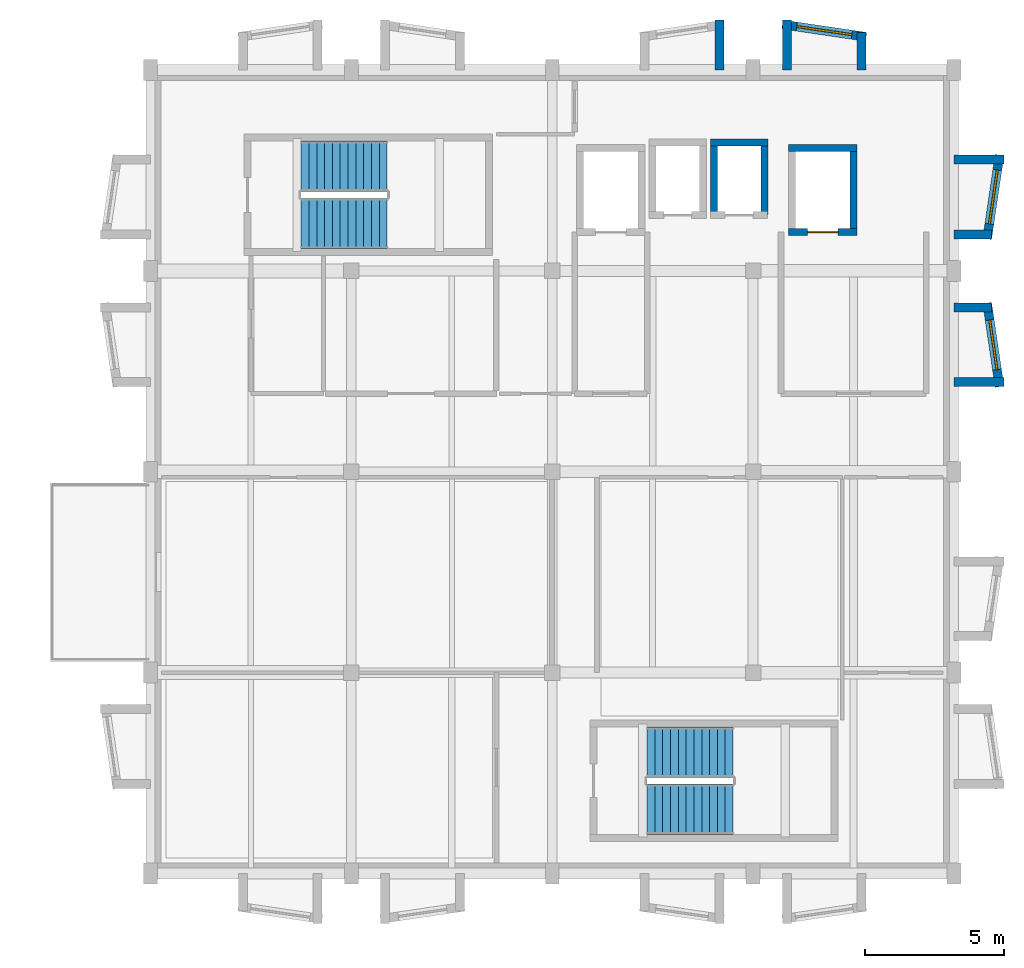
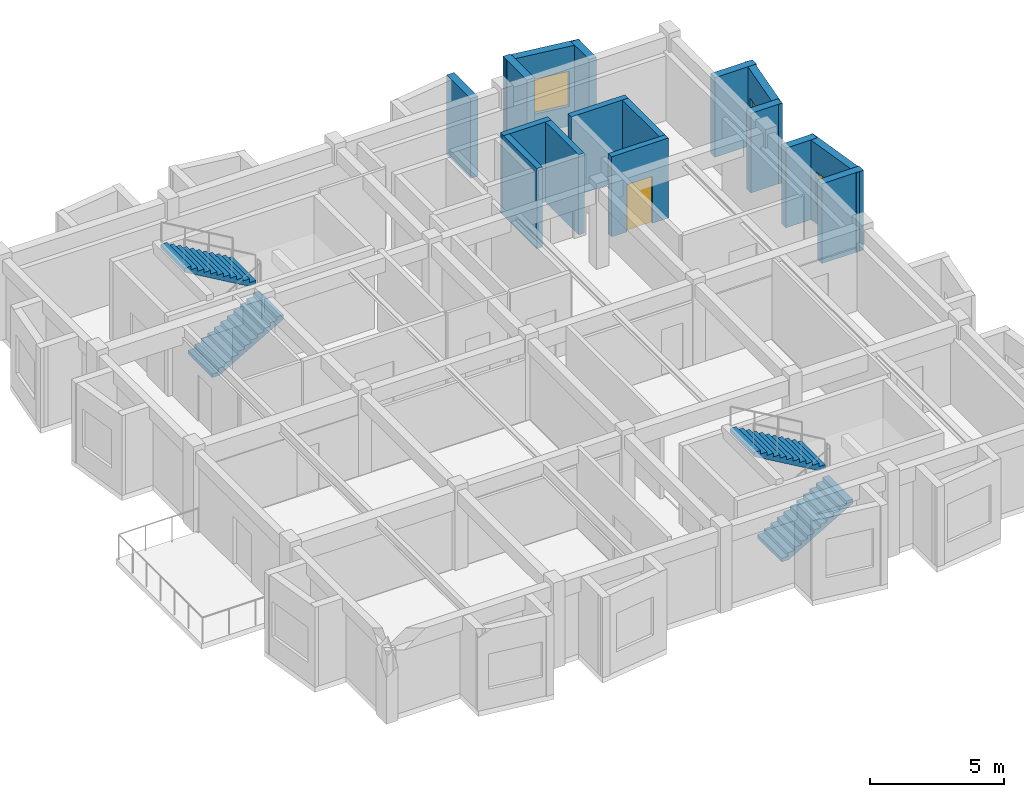
# One storey, part 5 of 7: 16 walls, 4 stair flights, 3 windows, 1 door, 4 openings, 2 elements without a shape of their own.
"""IFC4 building model written with IfcOpenShell, lengths in metres."""

from ifc_helpers import new_model, si_unit, direction, frame, frame_2d, origin, place, context, subcontext, project, spatial, polyline, rectangle, outline, extrude, material, layer, layer_set, type_object, element, fill, aggregate, save


model = new_model("IFC4")

# Units and contexts
model_context = context("Model", 3, precision=1e-05, world=origin(), true_north=direction((0.0, 1.0)))
body_context = subcontext(model_context, "Body", "Model", "MODEL_VIEW")
ifc_project = project(units=[si_unit("LENGTHUNIT", "METRE"), si_unit("AREAUNIT", "SQUARE_METRE"), si_unit("VOLUMEUNIT", "CUBIC_METRE"), si_unit("PLANEANGLEUNIT", "RADIAN"), si_unit("MASSUNIT", "GRAM", prefix="KILO")], contexts=[model_context])

# Site, building, storey
site_placement = place(None, origin())
site = spatial("IfcSite", under=ifc_project, at=site_placement, CompositionType="ELEMENT")
building_placement = place(site_placement, origin())
building = spatial("IfcBuilding", under=site, at=building_placement, Name="Bramveld Media Centre", CompositionType="ELEMENT")
storey_placement = place(building_placement, frame((0.0, 0.0, 25.800048828125)))
storey = spatial("IfcBuildingStorey", under=building, at=storey_placement, Name="L06", CompositionType="ELEMENT", Elevation=25.800048828125)

# Wall, opening, door
ifc_material_1 = material(Name="Concrete C40/50 stair & lift core wall", Category="concrete")
ifc_layer_1 = layer(ifc_material_1, 0.25)
ifc_layer_set_1 = layer_set([ifc_layer_1], Name="Concrete C40/50 stair & lift core wall")
wall_type_1 = type_object("IfcWallType", Name="CWALL-SHEAR-250", PredefinedType="SHEAR", material=ifc_layer_set_1)
wall_1_placement = place(storey_placement, frame((154.074951171875, 106.199951171875, 0.0), z_axis=(0.0, 0.0, 1.0), x_axis=(1.0, 0.0, 0.0)))
wall_1 = element("IfcWall", 1, at=wall_1_placement, inside=storey, type_object=wall_type_1, Name="FL-02 L06 lift shaft wall S", PredefinedType="SHEAR", context=body_context, shape_type="SweptSolid", body=[
    extrude(rectangle(XDim=2.449951171875, YDim=0.25, at=frame_2d((1.22509765625, 0.0))), origin(), (0.0, 0.0, 1.0), 3.64990234375),
])
opening_1_placement = place(wall_1_placement, frame((0.675048828125, 0.0, 0.0)))
opening_1 = element("IfcOpeningElement", 2, at=opening_1_placement, cuts=wall_1, Name="Opening LD-01-02-L06", PredefinedType="OPENING", context=body_context, shape_type="SweptSolid", body=[
    extrude(rectangle(XDim=1.10009765625, YDim=2.14990234375, at=frame_2d((0.550048828125, 1.074951171875))), frame((0.0, 0.136962890625, 0.0), z_axis=(0.0, -1.0, 0.0), x_axis=(1.0, 0.0, 0.0)), (0.0, 0.0, 1.0), 0.27392578125),
])
ifc_material_2 = material(Name="Brushed stainless steel automatic fire-rated sliding lift landing door", Category="steel")
door_type = type_object("IfcDoorType", Name="LD-TYPE-01", OperationType="SLIDING_TO_LEFT", PredefinedType="DOOR", material=ifc_material_2)
door_placement = place(opening_1_placement, origin())
door = element("IfcDoor", 3, at=door_placement, inside=storey, type_object=door_type, Name="FL-02 L06 sliding lift landing door", OperationType="SLIDING_TO_LEFT", OverallHeight=2.14990234375, OverallWidth=1.10009765625, PredefinedType="DOOR", context=body_context, shape_type="SweptSolid", body=[
    extrude(rectangle(XDim=1.10009765625, YDim=2.14990234375, at=frame_2d((0.550048828125, 1.074951171875))), frame((0.0, 0.02490234375, 0.0), z_axis=(0.0, -1.0, 0.0), x_axis=(1.0, 0.0, 0.0)), (0.0, 0.0, 1.0), 0.050048828125),
])
fill(opening_1, door)

# Walls
wall_2_placement = place(storey_placement, frame((156.52490234375, 109.199951171875, 0.0), z_axis=(0.0, 0.0, 1.0), x_axis=(-1.0, 0.0, 0.0)))
element("IfcWall", 4, at=wall_2_placement, inside=storey, type_object=wall_type_1, Name="FL-02 L06 lift shaft wall N", PredefinedType="SHEAR", context=body_context, shape_type="SweptSolid", body=[
    extrude(rectangle(XDim=2.449951171875, YDim=0.25, at=frame_2d((1.22509765625, 0.0))), origin(), (0.0, 0.0, 1.0), 3.64990234375),
])
wall_3_placement = place(storey_placement, frame((156.39990234375, 106.199951171875, 0.0), z_axis=(0.0, 0.0, 1.0), x_axis=(0.0, 1.0, 0.0)))
element("IfcWall", 5, at=wall_3_placement, inside=storey, type_object=wall_type_1, Name="FL-02 L06 lift shaft wall E", PredefinedType="SHEAR", context=body_context, shape_type="SweptSolid", body=[
    extrude(rectangle(XDim=3.0, YDim=0.25, at=frame_2d((1.5, 0.0))), origin(), (0.0, 0.0, 1.0), 3.64990234375),
])
wall_4_placement = place(storey_placement, frame((153.324951171875, 109.39990234375, 0.0), z_axis=(0.0, 0.0, 1.0), x_axis=(-1.0, 0.0, 0.0)))
element("IfcWall", 6, at=wall_4_placement, inside=storey, type_object=wall_type_1, Name="PL-02 L06 lift shaft wall N", PredefinedType="SHEAR", context=body_context, shape_type="SweptSolid", body=[
    extrude(rectangle(XDim=2.050048828125, YDim=0.25, at=frame_2d((1.02490234375, 0.0))), origin(), (0.0, 0.0, 1.0), 3.64990234375),
])
for number, where, z_axis, x_axis, name in (
    (7, (151.39990234375, 109.39990234375, 0.0), (0.0, 0.0, 1.0), (0.0, -1.0, 0.0), "PL-02 L06 lift shaft wall W"),
    (8, (153.199951171875, 106.800048828125, 0.0), (0.0, 0.0, 1.0), (0.0, 1.0, 0.0), "PL-02 L06 lift shaft wall E"),
):
    element("IfcWall", number, at=place(storey_placement, frame(where, z_axis=z_axis, x_axis=x_axis)), inside=storey, type_object=wall_type_1, Name=name, PredefinedType="SHEAR", context=body_context, shape_type="SweptSolid", body=[
        extrude(rectangle(XDim=2.599853515625, YDim=0.25, at=frame_2d((1.2998046875, 0.0))), origin(), (0.0, 0.0, 1.0), 3.64990234375),
    ])

# Wall, opening, window
ifc_material_3 = material(Name="Precast concrete C40/50 & brick-slip faceted bay cheek wall", Category="masonry")
ifc_layer_2 = layer(ifc_material_3, 0.320068359375)
ifc_layer_set_2 = layer_set([ifc_layer_2], Name="Precast concrete C40/50 & brick-slip faceted bay cheek wall")
wall_type_2 = type_object("IfcWallType", Name="EW-FACET-320", PredefinedType="SOLIDWALL", material=ifc_layer_set_2)
wall_5_placement = place(storey_placement, frame((161.633056640625, 100.64990234375, 0.0), z_axis=(0.0, 0.0, 1.0), x_axis=(-0.146119746268, 0.989266910268, 0.0)))
wall_5 = element("IfcWall", 9, at=wall_5_placement, inside=storey, type_object=wall_type_2, Name="V7 L06 E angled faceted bay front wall 3", PredefinedType="SOLIDWALL", context=body_context, shape_type="SweptSolid", body=[
    extrude(rectangle(XDim=3.032470703125, YDim=0.320068359375, at=frame_2d((1.51611328125, 0.0))), origin(), (0.0, 0.0, 1.0), 3.6298828125),
])
opening_2_placement = place(wall_5_placement, frame((0.6162109375, 0.0, 0.89990234375)))
opening_2 = element("IfcOpeningElement", 10, at=opening_2_placement, cuts=wall_5, Name="Opening W-26", PredefinedType="OPENING", context=body_context, shape_type="SweptSolid", body=[
    extrude(rectangle(XDim=1.800048828125, YDim=1.449951171875, at=frame_2d((0.89990234375, 0.72509765625))), frame((0.0, 0.171875, 0.0), z_axis=(0.0, -1.0, 0.0), x_axis=(1.0, 0.0, 0.0)), (0.0, 0.0, 1.0), 0.343994140625),
])
ifc_material_4 = material(Name="Thermally broken anodized bronze aluminium frame with triple acoustic glazing", Category="aluminium")
window_type_1 = type_object("IfcWindowType", Name="WIN-FAC-26", PartitioningType="SINGLE_PANEL", PredefinedType="WINDOW", material=ifc_material_4)
window_1_placement = place(opening_2_placement, origin())
window_1 = element("IfcWindow", 11, at=window_1_placement, inside=storey, type_object=window_type_1, Name="V7 L06 E faceted bay window 3", OverallHeight=1.449951171875, OverallWidth=1.800048828125, PartitioningType="SINGLE_PANEL", PredefinedType="WINDOW", context=body_context, shape_type="SweptSolid", body=[
    extrude(rectangle(XDim=1.800048828125, YDim=1.449951171875, at=frame_2d((0.89990234375, 0.72509765625))), frame((0.0, 0.030029296875, 0.0), z_axis=(0.0, -1.0, 0.0), x_axis=(1.0, 0.0, 0.0)), (0.0, 0.0, 1.0), 0.06005859375),
])
fill(opening_2, window_1)

# Walls
wall_6_placement = place(storey_placement, frame((160.0, 100.81005859375, 0.0), z_axis=(0.0, 0.0, 1.0), x_axis=(1.0, 0.0, 0.0)))
element("IfcWall", 12, at=wall_6_placement, inside=storey, type_object=wall_type_2, Name="V7 L06 E faceted bay cheek wall", PredefinedType="SOLIDWALL", context=body_context, shape_type="SweptSolid", body=[
    extrude(rectangle(XDim=1.79296875, YDim=0.320068359375, at=frame_2d((0.896484375, 0.0))), origin(), (0.0, 0.0, 1.0), 3.6298828125),
])
wall_7_placement = place(storey_placement, frame((160.0, 103.489990234375, 0.0), z_axis=(0.0, 0.0, 1.0), x_axis=(1.0, 0.0, 0.0)))
element("IfcWall", 13, at=wall_7_placement, inside=storey, type_object=wall_type_2, Name="V7 L06 E faceted bay cheek wall", PredefinedType="SOLIDWALL", context=body_context, shape_type="SweptSolid", body=[
    extrude(rectangle(XDim=1.35009765625, YDim=0.320068359375, at=frame_2d((0.675048828125, 0.0))), origin(), (0.0, 0.0, 1.0), 3.6298828125),
])

# Wall, opening, window
wall_8_placement = place(storey_placement, frame((161.18994140625, 105.949951171875, 0.0), z_axis=(0.0, 0.0, 1.0), x_axis=(0.146119746268, 0.989266910268, 0.0)))
wall_8 = element("IfcWall", 14, at=wall_8_placement, inside=storey, type_object=wall_type_2, Name="V7 L06 E angled faceted bay front wall 4", PredefinedType="SOLIDWALL", context=body_context, shape_type="SweptSolid", body=[
    extrude(rectangle(XDim=3.032470703125, YDim=0.320068359375, at=frame_2d((1.51611328125, 0.0))), origin(), (0.0, 0.0, 1.0), 3.6298828125),
])
opening_3_placement = place(wall_8_placement, frame((0.541259765625, 0.0, 0.89990234375)))
opening_3 = element("IfcOpeningElement", 15, at=opening_3_placement, cuts=wall_8, Name="Opening W-27", PredefinedType="OPENING", context=body_context, shape_type="SweptSolid", body=[
    extrude(rectangle(XDim=1.949951171875, YDim=1.449951171875, at=frame_2d((0.97509765625, 0.72509765625))), frame((0.0, 0.171875, 0.0), z_axis=(0.0, -1.0, 0.0), x_axis=(1.0, 0.0, 0.0)), (0.0, 0.0, 1.0), 0.343994140625),
])
ifc_material_5 = material(Name="Thermally broken anodized bronze aluminium frame with triple acoustic glazing", Category="aluminium")
window_type_2 = type_object("IfcWindowType", Name="WIN-FAC-27", PartitioningType="SINGLE_PANEL", PredefinedType="WINDOW", material=ifc_material_5)
window_2_placement = place(opening_3_placement, origin())
window_2 = element("IfcWindow", 16, at=window_2_placement, inside=storey, type_object=window_type_2, Name="V7 L06 E faceted bay window 4", OverallHeight=1.449951171875, OverallWidth=1.949951171875, PartitioningType="SINGLE_PANEL", PredefinedType="WINDOW", context=body_context, shape_type="SweptSolid", body=[
    extrude(rectangle(XDim=1.949951171875, YDim=1.449951171875, at=frame_2d((0.97509765625, 0.72509765625))), frame((0.0, 0.030029296875, 0.0), z_axis=(0.0, -1.0, 0.0), x_axis=(1.0, 0.0, 0.0)), (0.0, 0.0, 1.0), 0.06005859375),
])
fill(opening_3, window_2)

# Walls
wall_9_placement = place(storey_placement, frame((160.0, 106.110107421875, 0.0), z_axis=(0.0, 0.0, 1.0), x_axis=(1.0, 0.0, 0.0)))
element("IfcWall", 17, at=wall_9_placement, inside=storey, type_object=wall_type_2, Name="V7 L06 E faceted bay cheek wall", PredefinedType="SOLIDWALL", context=body_context, shape_type="SweptSolid", body=[
    extrude(rectangle(XDim=1.35009765625, YDim=0.320068359375, at=frame_2d((0.675048828125, 0.0))), origin(), (0.0, 0.0, 1.0), 3.6298828125),
])
for number, where, z_axis, x_axis, name in (
    (18, (160.0, 108.7900390625, 0.0), (0.0, 0.0, 1.0), (1.0, 0.0, 0.0), "V7 L06 E faceted bay cheek wall"),
    (19, (151.590087890625, 112.0, 0.0), (0.0, 0.0, 1.0), (0.0, 1.0, 0.0), "V7 L06 N faceted bay cheek wall"),
):
    element("IfcWall", number, at=place(storey_placement, frame(where, z_axis=z_axis, x_axis=x_axis)), inside=storey, type_object=wall_type_2, Name=name, PredefinedType="SOLIDWALL", context=body_context, shape_type="SweptSolid", body=[
        extrude(rectangle(XDim=1.79296875, YDim=0.320068359375, at=frame_2d((0.896484375, 0.0))), origin(), (0.0, 0.0, 1.0), 3.6298828125),
    ])

# Wall, opening, window
wall_10_placement = place(storey_placement, frame((156.85009765625, 113.18994140625, 0.0), z_axis=(0.0, 0.0, 1.0), x_axis=(-0.989266910268, 0.146119746268, 0.0)))
wall_10 = element("IfcWall", 20, at=wall_10_placement, inside=storey, type_object=wall_type_2, Name="V7 L06 N angled faceted bay front wall 4", PredefinedType="SOLIDWALL", context=body_context, shape_type="SweptSolid", body=[
    extrude(rectangle(XDim=3.032470703125, YDim=0.320068359375, at=frame_2d((1.51611328125, 0.0))), origin(), (0.0, 0.0, 1.0), 3.6298828125),
])
opening_4_placement = place(wall_10_placement, frame((0.516357421875, 0.0, 0.89990234375)))
opening_4 = element("IfcOpeningElement", 21, at=opening_4_placement, cuts=wall_10, Name="Opening W-31", PredefinedType="OPENING", context=body_context, shape_type="SweptSolid", body=[
    extrude(rectangle(XDim=2.0, YDim=1.60009765625, at=frame_2d((1.0, 0.800048828125))), frame((0.0, 0.171875, 0.0), z_axis=(0.0, -1.0, 0.0), x_axis=(1.0, 0.0, 0.0)), (0.0, 0.0, 1.0), 0.343994140625),
])
ifc_material_6 = material(Name="Thermally broken anodized bronze aluminium frame with triple acoustic glazing", Category="aluminium")
window_type_3 = type_object("IfcWindowType", Name="WIN-FAC-31", PartitioningType="SINGLE_PANEL", PredefinedType="WINDOW", material=ifc_material_6)
window_3_placement = place(opening_4_placement, origin())
window_3 = element("IfcWindow", 22, at=window_3_placement, inside=storey, type_object=window_type_3, Name="V7 L06 N faceted bay window 4", OverallHeight=1.60009765625, OverallWidth=2.0, PartitioningType="SINGLE_PANEL", PredefinedType="WINDOW", context=body_context, shape_type="SweptSolid", body=[
    extrude(rectangle(XDim=2.0, YDim=1.60009765625, at=frame_2d((1.0, 0.800048828125))), frame((0.0, 0.030029296875, 0.0), z_axis=(0.0, -1.0, 0.0), x_axis=(1.0, 0.0, 0.0)), (0.0, 0.0, 1.0), 0.06005859375),
])
fill(opening_4, window_3)

# Walls
wall_11_placement = place(storey_placement, frame((154.010009765625, 112.0, 0.0), z_axis=(0.0, 0.0, 1.0), x_axis=(0.0, 1.0, 0.0)))
element("IfcWall", 23, at=wall_11_placement, inside=storey, type_object=wall_type_2, Name="V7 L06 N faceted bay cheek wall", PredefinedType="SOLIDWALL", context=body_context, shape_type="SweptSolid", body=[
    extrude(rectangle(XDim=1.79296875, YDim=0.320068359375, at=frame_2d((0.896484375, 0.0))), origin(), (0.0, 0.0, 1.0), 3.6298828125),
])
wall_12_placement = place(storey_placement, frame((156.68994140625, 112.0, 0.0), z_axis=(0.0, 0.0, 1.0), x_axis=(0.0, 1.0, 0.0)))
element("IfcWall", 24, at=wall_12_placement, inside=storey, type_object=wall_type_2, Name="V7 L06 N faceted bay cheek wall", PredefinedType="SOLIDWALL", context=body_context, shape_type="SweptSolid", body=[
    extrude(rectangle(XDim=1.35009765625, YDim=0.320068359375, at=frame_2d((0.675048828125, 0.0))), origin(), (0.0, 0.0, 1.0), 3.6298828125),
])

# Stair, stair flights
ifc_material_7 = material(Name="Concrete C40/50", Category="concrete")
stair_type_1 = type_object("IfcStairType", Name="STAIR-ST-01-24R-1800", PredefinedType="HALF_TURN_STAIR", material=ifc_material_7)
stair_1_placement = place(storey_placement, origin())
stair_1 = element("IfcStair", 25, at=stair_1_placement, inside=storey, type_object=stair_type_1, Name="L06 Core A1 Pressurized Firefighting Stair", PredefinedType="HALF_TURN_STAIR")
ifc_material_8 = material(Name="Concrete C40/50", Category="concrete")
stair_flight_type_1 = type_object("IfcStairFlightType", Name="FLIGHT-ST-01-12R-1625", PredefinedType="STRAIGHT", material=ifc_material_8)
stair_flight_1_placement = place(storey_placement, frame((136.60009765625, 106.5, 0.0), z_axis=(0.0, 0.0, 1.0), x_axis=(1.0, 0.0, 0.0)))
stair_flight_1 = element("IfcStairFlight", 26, at=stair_flight_1_placement, type_object=stair_flight_type_1, Name="ST-01 flight 1", NumberOfRisers=12, NumberOfTreads=11, PredefinedType="STRAIGHT", RiserHeight=0.1625, TreadLength=0.28, context=body_context, shape_type="SweptSolid", body=[
    extrude(outline(polyline([(0.0, 0.0), (0.0, 0.16259765625), (0.280029296875, 0.16259765625), (0.280029296875, 0.324951171875), (0.56005859375, 0.324951171875), (0.56005859375, 0.487548828125), (0.840087890625, 0.487548828125), (0.840087890625, 0.64990234375), (1.1201171875, 0.64990234375), (1.1201171875, 0.8125), (1.39990234375, 0.8125), (1.39990234375, 0.97509765625), (1.679931640625, 0.97509765625), (1.679931640625, 1.137451171875), (1.9599609375, 1.137451171875), (1.9599609375, 1.300048828125), (2.239990234375, 1.300048828125), (2.239990234375, 1.46240234375), (2.52001953125, 1.46240234375), (2.52001953125, 1.625), (2.800048828125, 1.625), (2.800048828125, 1.78759765625), (3.080078125, 1.78759765625), (3.080078125, 1.949951171875), (3.080078125, 1.6025390625), (0.318603515625, 0.0), (0.0, 0.0)])), frame((0.0, 0.89990234375, 0.0), z_axis=(0.0, -1.0, 0.0), x_axis=(1.0, 0.0, 0.0)), (0.0, 0.0, 1.0), 1.800048828125),
])
stair_flight_2_placement = place(storey_placement, frame((139.679931640625, 108.550048828125, 1.949951171875), z_axis=(0.0, 0.0, 1.0), x_axis=(-1.0, 0.0, 0.0)))
stair_flight_2 = element("IfcStairFlight", 27, at=stair_flight_2_placement, type_object=stair_flight_type_1, Name="ST-01 flight 2", NumberOfRisers=12, NumberOfTreads=11, PredefinedType="STRAIGHT", RiserHeight=0.1625, TreadLength=0.28, context=body_context, shape_type="SweptSolid", body=[
    extrude(outline(polyline([(0.0, 0.0), (0.0, 0.16259765625), (0.280029296875, 0.16259765625), (0.280029296875, 0.324951171875), (0.56005859375, 0.324951171875), (0.56005859375, 0.487548828125), (0.840087890625, 0.487548828125), (0.840087890625, 0.64990234375), (1.1201171875, 0.64990234375), (1.1201171875, 0.8125), (1.39990234375, 0.8125), (1.39990234375, 0.97509765625), (1.679931640625, 0.97509765625), (1.679931640625, 1.137451171875), (1.9599609375, 1.137451171875), (1.9599609375, 1.300048828125), (2.239990234375, 1.300048828125), (2.239990234375, 1.46240234375), (2.52001953125, 1.46240234375), (2.52001953125, 1.625), (2.800048828125, 1.625), (2.800048828125, 1.78759765625), (3.080078125, 1.78759765625), (3.080078125, 1.949951171875), (3.080078125, 1.6025390625), (0.318603515625, 0.0), (0.0, 0.0)])), frame((0.0, 0.89990234375, 0.0), z_axis=(0.0, -1.0, 0.0), x_axis=(1.0, 0.0, 0.0)), (0.0, 0.0, 1.0), 1.800048828125),
])
aggregate(stair_1, [stair_flight_1, stair_flight_2])

ifc_material_9 = material(Name="Concrete C40/50", Category="concrete")
stair_type_2 = type_object("IfcStairType", Name="STAIR-ST-02-24R-1800", PredefinedType="HALF_TURN_STAIR", material=ifc_material_9)
stair_2_placement = place(storey_placement, origin())
stair_2 = element("IfcStair", 28, at=stair_2_placement, inside=storey, type_object=stair_type_2, Name="L06 Core A2 Pressurized Escape Stair", PredefinedType="HALF_TURN_STAIR")
ifc_material_10 = material(Name="Concrete C40/50", Category="concrete")
stair_flight_type_2 = type_object("IfcStairFlightType", Name="FLIGHT-ST-02-12R-1625", PredefinedType="STRAIGHT", material=ifc_material_10)
stair_flight_3_placement = place(storey_placement, frame((149.0, 85.5, 0.0), z_axis=(0.0, 0.0, 1.0), x_axis=(1.0, 0.0, 0.0)))
stair_flight_3 = element("IfcStairFlight", 29, at=stair_flight_3_placement, type_object=stair_flight_type_2, Name="ST-02 flight 1", NumberOfRisers=12, NumberOfTreads=11, PredefinedType="STRAIGHT", RiserHeight=0.1625, TreadLength=0.28, context=body_context, shape_type="SweptSolid", body=[
    extrude(outline(polyline([(0.0, 0.0), (0.0, 0.16259765625), (0.280029296875, 0.16259765625), (0.280029296875, 0.324951171875), (0.56005859375, 0.324951171875), (0.56005859375, 0.487548828125), (0.840087890625, 0.487548828125), (0.840087890625, 0.64990234375), (1.1201171875, 0.64990234375), (1.1201171875, 0.8125), (1.39990234375, 0.8125), (1.39990234375, 0.97509765625), (1.679931640625, 0.97509765625), (1.679931640625, 1.137451171875), (1.9599609375, 1.137451171875), (1.9599609375, 1.300048828125), (2.239990234375, 1.300048828125), (2.239990234375, 1.46240234375), (2.52001953125, 1.46240234375), (2.52001953125, 1.625), (2.800048828125, 1.625), (2.800048828125, 1.78759765625), (3.080078125, 1.78759765625), (3.080078125, 1.949951171875), (3.080078125, 1.6025390625), (0.318603515625, 0.0), (0.0, 0.0)])), frame((0.0, 0.89990234375, 0.0), z_axis=(0.0, -1.0, 0.0), x_axis=(1.0, 0.0, 0.0)), (0.0, 0.0, 1.0), 1.800048828125),
])
stair_flight_4_placement = place(storey_placement, frame((152.080078125, 87.550048828125, 1.949951171875), z_axis=(0.0, 0.0, 1.0), x_axis=(-1.0, 0.0, 0.0)))
stair_flight_4 = element("IfcStairFlight", 30, at=stair_flight_4_placement, type_object=stair_flight_type_2, Name="ST-02 flight 2", NumberOfRisers=12, NumberOfTreads=11, PredefinedType="STRAIGHT", RiserHeight=0.1625, TreadLength=0.28, context=body_context, shape_type="SweptSolid", body=[
    extrude(outline(polyline([(0.0, 0.0), (0.0, 0.16259765625), (0.280029296875, 0.16259765625), (0.280029296875, 0.324951171875), (0.56005859375, 0.324951171875), (0.56005859375, 0.487548828125), (0.840087890625, 0.487548828125), (0.840087890625, 0.64990234375), (1.1201171875, 0.64990234375), (1.1201171875, 0.8125), (1.39990234375, 0.8125), (1.39990234375, 0.97509765625), (1.679931640625, 0.97509765625), (1.679931640625, 1.137451171875), (1.9599609375, 1.137451171875), (1.9599609375, 1.300048828125), (2.239990234375, 1.300048828125), (2.239990234375, 1.46240234375), (2.52001953125, 1.46240234375), (2.52001953125, 1.625), (2.800048828125, 1.625), (2.800048828125, 1.78759765625), (3.080078125, 1.78759765625), (3.080078125, 1.949951171875), (3.080078125, 1.6025390625), (0.318603515625, 0.0), (0.0, 0.0)])), frame((0.0, 0.89990234375, 0.0), z_axis=(0.0, -1.0, 0.0), x_axis=(1.0, 0.0, 0.0)), (0.0, 0.0, 1.0), 1.800048828125),
])
aggregate(stair_2, [stair_flight_3, stair_flight_4])

save(model, "model.ifc")
